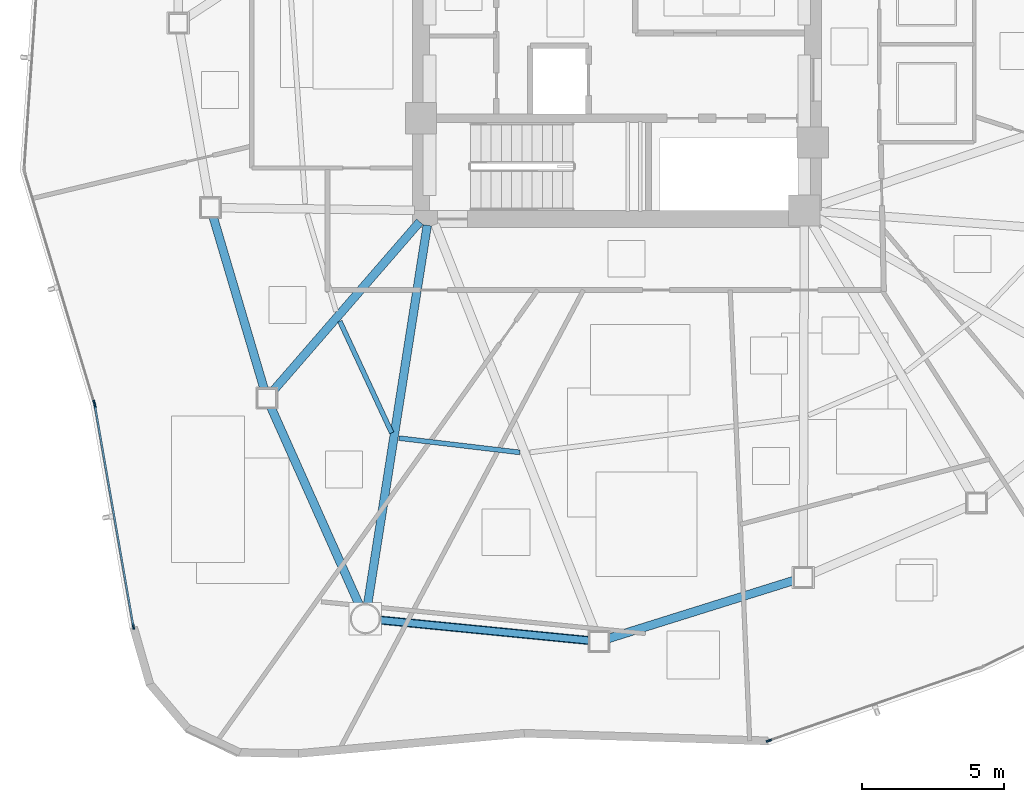
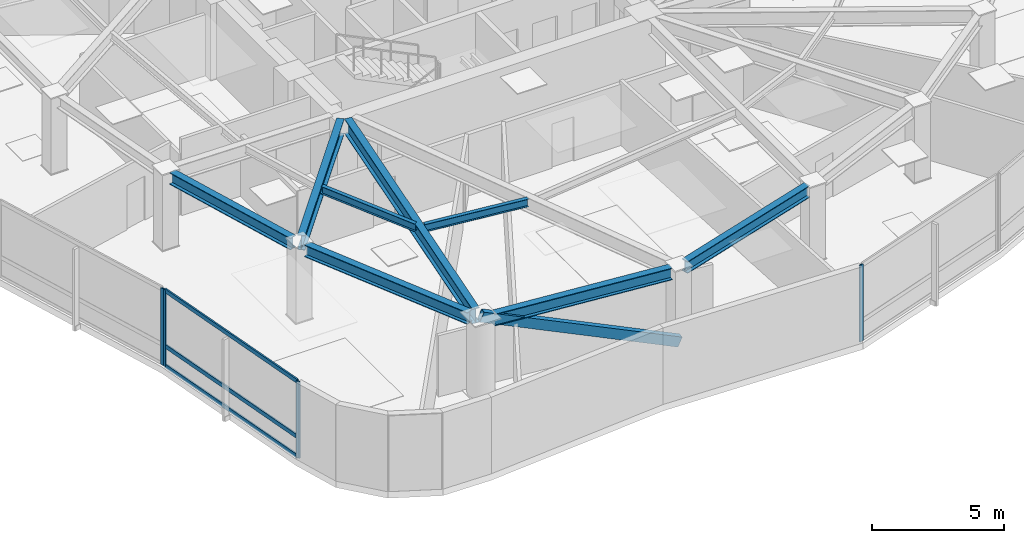
# One storey, part 2 of 17: 8 beams, 8 members, 3 elements without a shape of their own.
"""IFC4 building model written with IfcOpenShell, lengths in metres."""

from ifc_helpers import new_model, si_unit, direction, frame, origin, origin_2d, place, context, subcontext, project, spatial, hollow_rectangle, i_section, extrude, source, transform, mapped, material, layer, layer_set, material_profile, profile_set, type_object, type_shapes, element, aggregate, save


model = new_model("IFC4")

# Units and contexts
model_context = context("Model", 3, precision=1e-05, world=origin(), true_north=direction((0.0, 1.0)))
body_context = subcontext(model_context, "Body", "Model", "MODEL_VIEW")
ifc_project = project(units=[si_unit("LENGTHUNIT", "METRE"), si_unit("AREAUNIT", "SQUARE_METRE"), si_unit("VOLUMEUNIT", "CUBIC_METRE"), si_unit("PLANEANGLEUNIT", "RADIAN"), si_unit("MASSUNIT", "GRAM", prefix="KILO")], contexts=[model_context])

# Site, building, storey
site_placement = place(None, origin())
site = spatial("IfcSite", under=ifc_project, at=site_placement, CompositionType="ELEMENT")
building_placement = place(site_placement, origin())
building = spatial("IfcBuilding", under=site, at=building_placement, Name="Tavelor Broadcast Tower", CompositionType="ELEMENT")
storey_placement = place(building_placement, frame((0.0, 0.0, 127.14990234375)))
storey = spatial("IfcBuildingStorey", under=building, at=storey_placement, Name="L29", CompositionType="ELEMENT", Elevation=127.14990234375)

# Beams
ifc_material_1 = material(Name="Steel S355", Category="steel")
ifc_material_profile_1 = material_profile(ifc_material_1, i_section(OverallWidth=0.169921875, OverallDepth=0.360107421875, WebThickness=0.008056640625, FlangeThickness=0.0126953125, at=origin_2d()), Name="IPE 360")
ifc_profile_set_1 = profile_set([ifc_material_profile_1], Name="Steel S355")
beam_type_1 = type_object("IfcBeamType", Name="Composite Floor Joist T3 IPE 360", PredefinedType="JOIST", material=ifc_profile_set_1)
beam_1_placement = place(storey_placement, frame((40.237548828125, 34.901123046875, 3.3701171875), z_axis=(0.421480014114, -0.906837690936, 0.0), x_axis=(0.906837690936, 0.421480014114, 0.0)))
element("IfcBeam", 1, at=beam_1_placement, inside=storey, type_object=beam_type_1, Name="L29 Secondary Composite Floor Joist 06", PredefinedType="JOIST", context=body_context, shape_type="SweptSolid", body=[
    extrude(i_section(OverallWidth=0.169921875, OverallDepth=0.360107421875, WebThickness=0.008056640625, FlangeThickness=0.0126953125, at=origin_2d()), origin(), (0.0, 0.0, 1.0), 4.337890625),
])
beam_2_placement = place(storey_placement, frame((42.32177734375, 30.781982421875, 3.3701171875), z_axis=(0.993083165759, -0.117413056713, 0.0), x_axis=(0.117413056713, 0.993083165759, 0.0)))
element("IfcBeam", 2, at=beam_2_placement, inside=storey, type_object=beam_type_1, Name="L29 Secondary Composite Floor Joist 07", PredefinedType="JOIST", context=body_context, shape_type="SweptSolid", body=[
    extrude(i_section(OverallWidth=0.169921875, OverallDepth=0.360107421875, WebThickness=0.008056640625, FlangeThickness=0.0126953125, at=origin_2d()), origin(), (0.0, 0.0, 1.0), 4.285400390625),
])
ifc_material_profile_2 = material_profile(ifc_material_1, i_section(OverallWidth=0.300048828125, OverallDepth=0.550048828125, WebThickness=0.014892578125, FlangeThickness=0.029052734375, at=origin_2d()), Name="HEB 550")
ifc_profile_set_2 = profile_set([ifc_material_profile_2], Name="Steel S355")
beam_type_2 = type_object("IfcBeamType", Name="Perimeter Spandrel Beam T3 HEB 550", PredefinedType="SPANDREL", material=ifc_profile_set_2)
beam_3_placement = place(storey_placement, frame((35.7763671875, 38.57763671875, 3.275146484375), z_axis=(0.283996338182, -0.958825364652, 0.0), x_axis=(0.958825364652, 0.283996338182, 0.0)))
element("IfcBeam", 3, at=beam_3_placement, inside=storey, type_object=beam_type_2, Name="L29 Framed-Tube Ring Spandrel 05", PredefinedType="SPANDREL", context=body_context, shape_type="SweptSolid", body=[
    extrude(i_section(OverallWidth=0.300048828125, OverallDepth=0.550048828125, WebThickness=0.014892578125, FlangeThickness=0.029052734375, at=origin_2d()), origin(), (0.0, 0.0, 1.0), 6.325439453125),
])
beam_4_placement = place(storey_placement, frame((37.80517578125, 31.883544921875, 3.275146484375), z_axis=(0.407977377403, -0.912992036946, 0.0), x_axis=(0.912992036946, 0.407977377403, 0.0)))
element("IfcBeam", 4, at=beam_4_placement, inside=storey, type_object=beam_type_2, Name="L29 Framed-Tube Ring Spandrel 06", PredefinedType="SPANDREL", context=body_context, shape_type="SweptSolid", body=[
    extrude(i_section(OverallWidth=0.300048828125, OverallDepth=0.550048828125, WebThickness=0.014892578125, FlangeThickness=0.029052734375, at=origin_2d()), origin(), (0.0, 0.0, 1.0), 7.658447265625),
])
beam_5_placement = place(storey_placement, frame((41.6484375, 24.373779296875, 3.275146484375), z_axis=(0.995250868203, -0.097343255237, 0.0), x_axis=(0.097343255237, 0.995250868203, 0.0)))
element("IfcBeam", 5, at=beam_5_placement, inside=storey, type_object=beam_type_2, Name="L29 Framed-Tube Ring Spandrel 07", PredefinedType="SPANDREL", context=body_context, shape_type="SweptSolid", body=[
    extrude(i_section(OverallWidth=0.300048828125, OverallDepth=0.550048828125, WebThickness=0.014892578125, FlangeThickness=0.029052734375, at=origin_2d()), origin(), (0.0, 0.0, 1.0), 7.418701171875),
])
beam_6_placement = place(storey_placement, frame((49.68701171875, 23.719482421875, 3.275146484375), z_axis=(0.954271632066, 0.29894088418, 0.0), x_axis=(-0.29894088418, 0.954271632066, 0.0)))
element("IfcBeam", 6, at=beam_6_placement, inside=storey, type_object=beam_type_2, Name="L29 Framed-Tube Ring Spandrel 08", PredefinedType="SPANDREL", context=body_context, shape_type="SweptSolid", body=[
    extrude(i_section(OverallWidth=0.300048828125, OverallDepth=0.550048828125, WebThickness=0.014892578125, FlangeThickness=0.029052734375, at=origin_2d()), origin(), (0.0, 0.0, 1.0), 6.867431640625),
])

# Member
ifc_material_profile_3 = material_profile(ifc_material_1, hollow_rectangle(XDim=0.25, YDim=0.449951171875, WallThickness=0.02001953125, at=origin_2d()), Name="RHS 450x250x20")
ifc_profile_set_3 = profile_set([ifc_material_profile_3], Name="Steel S355")
member_type_1 = type_object("IfcMemberType", Name="Perimeter Tube Brace T3 RHS 450x250x20", PredefinedType="BRACE", material=ifc_profile_set_3)
member_1_placement = place(storey_placement, frame((49.366455078125, 23.618896484375, 0.0), z_axis=(-0.914496364203, 0.089466025126, 0.394578547577), x_axis=(-0.097366094377, -0.995248634094, 0.0)))
element("IfcMember", 7, at=member_1_placement, inside=storey, type_object=member_type_1, Name="L29 Corner Tube Diagonal Brace 2", PredefinedType="BRACE", context=body_context, shape_type="SweptSolid", body=[
    extrude(hollow_rectangle(XDim=0.25, YDim=0.449951171875, WallThickness=0.02001953125, at=origin_2d()), origin(), (0.0, 0.0, 1.0), 8.9970703125),
])

# Beams
ifc_material_profile_4 = material_profile(ifc_material_1, i_section(OverallWidth=0.300048828125, OverallDepth=0.68994140625, WebThickness=0.014404296875, FlangeThickness=0.027099609375, at=origin_2d()), Name="HEA 700")
ifc_profile_set_4 = profile_set([ifc_material_profile_4], Name="Steel S355")
beam_type_3 = type_object("IfcBeamType", Name="Radial Floor Girder T3 HEA 700", PredefinedType="BEAM", material=ifc_profile_set_4)
beam_7_placement = place(storey_placement, frame((43.05419921875, 38.401123046875, 3.205078125), z_axis=(-0.655166261537, -0.755484725024, 0.0), x_axis=(0.755484725024, -0.655166261537, 0.0)))
element("IfcBeam", 8, at=beam_7_placement, inside=storey, type_object=beam_type_3, Name="L29 Radial Primary Floor Girder 06", PredefinedType="BEAM", context=body_context, shape_type="SweptSolid", body=[
    extrude(i_section(OverallWidth=0.300048828125, OverallDepth=0.68994140625, WebThickness=0.014404296875, FlangeThickness=0.027099609375, at=origin_2d()), origin(), (0.0, 0.0, 1.0), 7.885009765625),
])
beam_8_placement = place(storey_placement, frame((43.318115234375, 38.2783203125, 3.205078125), z_axis=(-0.1553975273, -0.987852017515, 0.0), x_axis=(0.987852017515, -0.1553975273, 0.0)))
element("IfcBeam", 9, at=beam_8_placement, inside=storey, type_object=beam_type_3, Name="L29 Radial Primary Floor Girder 07", PredefinedType="BEAM", context=body_context, shape_type="SweptSolid", body=[
    extrude(i_section(OverallWidth=0.300048828125, OverallDepth=0.68994140625, WebThickness=0.014404296875, FlangeThickness=0.027099609375, at=origin_2d()), origin(), (0.0, 0.0, 1.0), 13.5126953125),
])

# Curtain wall, member
ifc_material_2 = material(Name="Architectural Anodized Aluminium", Category="aluminium")
ifc_layer = layer(ifc_material_2, 0.18994140625)
ifc_layer_set = layer_set([ifc_layer], Name="Architectural Anodized Aluminium")
curtain_wall_type = type_object("IfcCurtainWallType", Name="Tower Mid-Zone Acoustic Curtain Wall CW03", PredefinedType="NOTDEFINED", material=ifc_layer_set)
curtain_wall_1_placement = place(storey_placement, origin())
curtain_wall_1 = element("IfcCurtainWall", 10, at=curtain_wall_1_placement, inside=storey, type_object=curtain_wall_type, Name="L29 Curtain Wall CW03 Run 291", PredefinedType="NOTDEFINED")
ifc_material_profile_5 = material_profile(ifc_material_2, hollow_rectangle(XDim=0.068115234375, YDim=0.18994140625, WallThickness=0.02197265625, at=origin_2d()), Name="RHS 68x190x22")
ifc_profile_set_5 = profile_set([ifc_material_profile_5], Name="Architectural Anodized Aluminium")
member_type_2 = type_object("IfcMemberType", Name="CW03 Extruded Aluminium Mullion 68x190", PredefinedType="MULLION", material=ifc_profile_set_5)
shared_shape_1 = source(origin(), body_context, "Body", "SweptSolid", [
    extrude(hollow_rectangle(XDim=0.068115234375, YDim=0.18994140625, WallThickness=0.02197265625, at=origin_2d()), origin(), (0.0, 0.0, 1.0), 3.550048828125),
])
type_shapes(member_type_2, [shared_shape_1])
member_2_placement = place(storey_placement, frame((31.58740234375, 32.029052734375, 0.0), z_axis=(0.0, 0.0, 1.0), x_axis=(0.957365220535, 0.288880311737, 0.0)))
member_2 = element("IfcMember", 11, at=member_2_placement, type_object=member_type_2, Name="CW03 mullion 2", PredefinedType="MULLION", context=body_context, shape_type="MappedRepresentation", body=[
    mapped(shared_shape_1, transform((0.0, 0.0, 0.0), scale=1.0)),
])
aggregate(curtain_wall_1, [member_2])

# Curtain wall, members
curtain_wall_2_placement = place(storey_placement, origin())
curtain_wall_2 = element("IfcCurtainWall", 12, at=curtain_wall_2_placement, inside=storey, type_object=curtain_wall_type, Name="L29 Curtain Wall CW03 Run 292", PredefinedType="NOTDEFINED")
member_3_placement = place(storey_placement, frame((31.610107421875, 31.93408203125, 0.0), z_axis=(0.0, 0.0, 1.0), x_axis=(0.985179334532, 0.171527487042, 0.0)))
member_3 = element("IfcMember", 13, at=member_3_placement, type_object=member_type_2, Name="CW03 mullion 1", PredefinedType="MULLION", context=body_context, shape_type="MappedRepresentation", body=[
    mapped(shared_shape_1, transform((0.0, 0.0, 0.0), scale=1.0)),
])
member_4_placement = place(storey_placement, frame((32.966064453125, 24.14599609375, 0.0), z_axis=(0.0, 0.0, 1.0), x_axis=(0.985179334532, 0.171527487042, 0.0)))
member_4 = element("IfcMember", 14, at=member_4_placement, type_object=member_type_2, Name="CW03 mullion 2", PredefinedType="MULLION", context=body_context, shape_type="MappedRepresentation", body=[
    mapped(shared_shape_1, transform((0.0, 0.0, 0.0), scale=1.0)),
])

# Curtain wall, member
curtain_wall_3_placement = place(storey_placement, origin())
curtain_wall_3 = element("IfcCurtainWall", 15, at=curtain_wall_3_placement, inside=storey, type_object=curtain_wall_type, Name="L29 Curtain Wall CW03 Run 293", PredefinedType="NOTDEFINED")
member_5_placement = place(storey_placement, frame((55.348388671875, 20.124267578125, 0.0), z_axis=(0.0, 0.0, 1.0), x_axis=(-0.325984471365, 0.945375123657, 0.0)))
member_5 = element("IfcMember", 16, at=member_5_placement, type_object=member_type_2, Name="CW03 mullion 1", PredefinedType="MULLION", context=body_context, shape_type="MappedRepresentation", body=[
    mapped(shared_shape_1, transform((0.0, 0.0, 0.0), scale=1.0)),
])
aggregate(curtain_wall_3, [member_5])

# Member
ifc_material_profile_6 = material_profile(ifc_material_2, hollow_rectangle(XDim=0.068115234375, YDim=0.18994140625, WallThickness=0.02197265625, at=origin_2d()), Name="RHS 68x190x22")
ifc_profile_set_6 = profile_set([ifc_material_profile_6], Name="Architectural Anodized Aluminium")
member_type_3 = type_object("IfcMemberType", Name="CW03 Extruded Aluminium Transom 68x190", PredefinedType="USERDEFINED", material=ifc_profile_set_6)
shared_shape_2 = source(origin(), body_context, "Body", "SweptSolid", [
    extrude(hollow_rectangle(XDim=0.068115234375, YDim=0.18994140625, WallThickness=0.02197265625, at=origin_2d()), origin(), (0.0, 0.0, 1.0), 7.8369140625),
])
type_shapes(member_type_3, [shared_shape_2])
member_6_placement = place(storey_placement, frame((31.615966796875, 31.900390625, 0.0341796875), z_axis=(0.171527860422, -0.985179269524, 0.0), x_axis=(0.985179269524, 0.171527860422, 0.0)))
member_6 = element("IfcMember", 17, at=member_6_placement, type_object=member_type_3, Name="CW03 transom 1.1", ObjectType="TRANSOM", PredefinedType="USERDEFINED", context=body_context, shape_type="MappedRepresentation", body=[
    mapped(shared_shape_2, transform((0.0, 0.0, 0.0), scale=1.0)),
])

member_7_placement = place(storey_placement, frame((31.615966796875, 31.900390625, 0.9501953125), z_axis=(0.171527860422, -0.985179269524, 0.0), x_axis=(0.985179269524, 0.171527860422, 0.0)))
member_7 = element("IfcMember", 18, at=member_7_placement, type_object=member_type_3, Name="CW03 transom 1.2", ObjectType="TRANSOM", PredefinedType="USERDEFINED", context=body_context, shape_type="MappedRepresentation", body=[
    mapped(shared_shape_2, transform((0.0, 0.0, 0.0), scale=1.0)),
])

member_8_placement = place(storey_placement, frame((31.615966796875, 31.900390625, 3.51611328125), z_axis=(0.171527860422, -0.985179269524, 0.0), x_axis=(0.985179269524, 0.171527860422, 0.0)))
member_8 = element("IfcMember", 19, at=member_8_placement, type_object=member_type_3, Name="CW03 transom 1.3", ObjectType="TRANSOM", PredefinedType="USERDEFINED", context=body_context, shape_type="MappedRepresentation", body=[
    mapped(shared_shape_2, transform((0.0, 0.0, 0.0), scale=1.0)),
])

aggregate(curtain_wall_2, [member_3, member_4, member_6, member_7, member_8])

save(model, "model.ifc")
